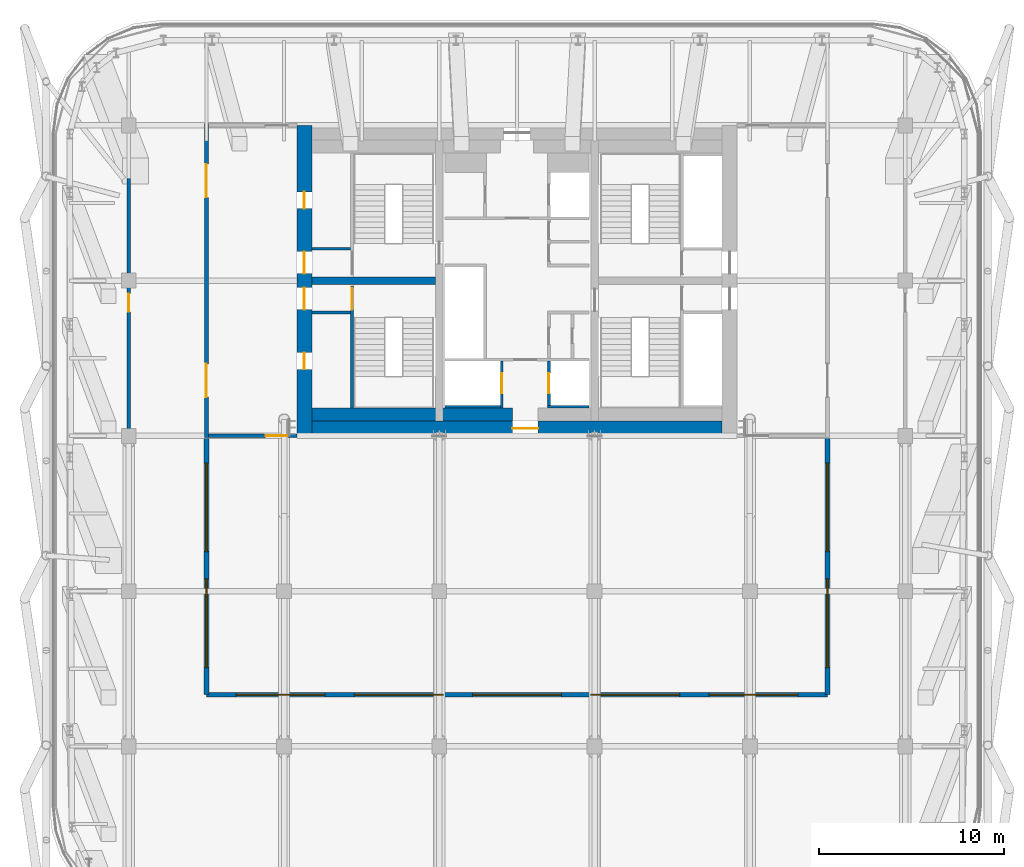
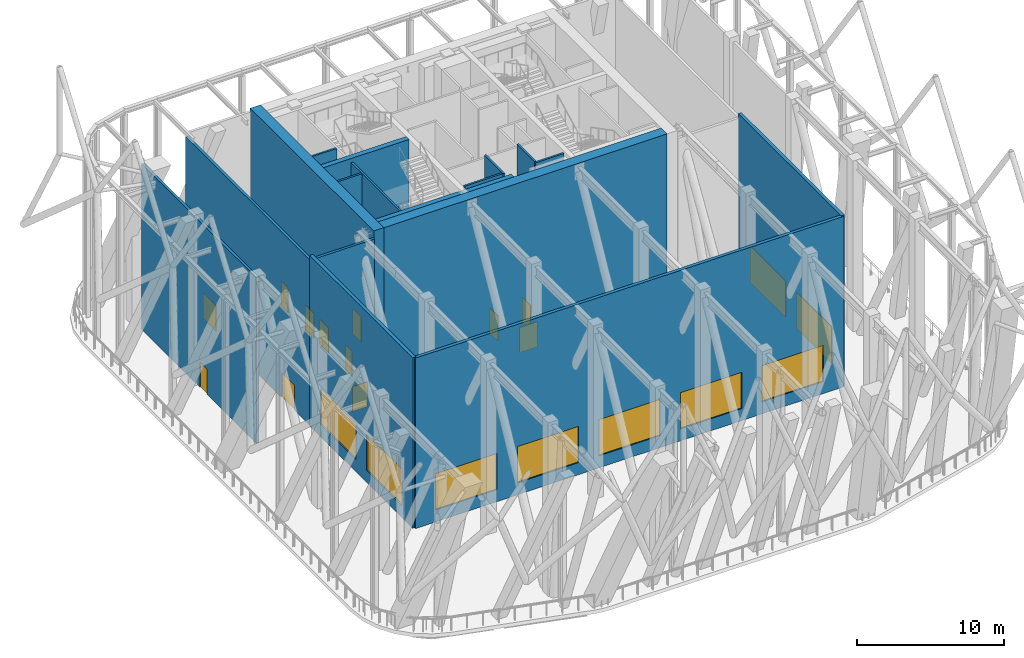
# One storey, part 10 of 20: 17 walls, 12 doors, 9 windows, 21 openings.
"""IFC4 building model written with IfcOpenShell, lengths in metres."""

from ifc_helpers import new_model, si_unit, direction, frame, frame_2d, origin, place, context, subcontext, project, spatial, rectangle, extrude, material, layer, layer_set, type_object, element, fill, save


model = new_model("IFC4")

# Units and contexts
model_context = context("Model", 3, precision=1e-05, world=origin(), true_north=direction((0.0, 1.0)))
body_context = subcontext(model_context, "Body", "Model", "MODEL_VIEW")
ifc_project = project(units=[si_unit("LENGTHUNIT", "METRE"), si_unit("AREAUNIT", "SQUARE_METRE"), si_unit("VOLUMEUNIT", "CUBIC_METRE"), si_unit("PLANEANGLEUNIT", "RADIAN"), si_unit("MASSUNIT", "GRAM", prefix="KILO")], contexts=[model_context])

# Site, building, storey
site_placement = place(None, origin())
site = spatial("IfcSite", under=ifc_project, at=site_placement, CompositionType="ELEMENT")
building_placement = place(site_placement, origin())
building = spatial("IfcBuilding", under=site, at=building_placement, Name="Marenta Gate Hotel Tower", CompositionType="ELEMENT")
storey_placement = place(building_placement, frame((0.0, 0.0, 252.5)))
storey = spatial("IfcBuildingStorey", under=building, at=storey_placement, Name="L60", CompositionType="ELEMENT", Elevation=252.5)

# Wall, openings, doors
ifc_material_1 = material(Name="Concrete blockwork", Category="masonry")
ifc_layer_1 = layer(ifc_material_1, 0.199951171875)
ifc_layer_set_1 = layer_set([ifc_layer_1], Name="Concrete blockwork")
wall_type_1 = type_object("IfcWallType", Name="Core boundary wall 200 REI 180", PredefinedType="PARTITIONING", material=ifc_layer_set_1)
wall_1_placement = place(storey_placement, frame((-16.800048828125, -0.10009765625, 0.0), z_axis=(0.0, 0.0, 1.0), x_axis=(0.0, 1.0, 0.0)))
wall_1 = element("IfcWall", 1, at=wall_1_placement, inside=storey, type_object=wall_type_1, Name="L60-CP-BW-W", PredefinedType="PARTITIONING", context=body_context, shape_type="SweptSolid", body=[
    extrude(rectangle(XDim=17.0, YDim=0.199951171875, at=frame_2d((8.5, 0.0))), origin(), (0.0, 0.0, 1.0), 13.739990234375),
])
opening_1_placement = place(wall_1_placement, frame((2.199951171875, 0.0, 0.0)))
opening_1 = element("IfcOpeningElement", 2, at=opening_1_placement, cuts=wall_1, Name="Opening ED-Wa-B", PredefinedType="OPENING", context=body_context, shape_type="SweptSolid", body=[
    extrude(rectangle(XDim=1.800048828125, YDim=2.10009765625, at=frame_2d((0.89990234375, 1.050048828125))), frame((0.0, 0.10009765625, 0.0), z_axis=(0.0, -1.0, 0.0), x_axis=(1.0, 0.0, 0.0)), (0.0, 0.0, 1.0), 0.199951171875),
])
opening_2_placement = place(wall_1_placement, frame((13.0, 0.0, 0.0)))
opening_2 = element("IfcOpeningElement", 3, at=opening_2_placement, cuts=wall_1, Name="Opening ED-Wb-B", PredefinedType="OPENING", context=body_context, shape_type="SweptSolid", body=[
    extrude(rectangle(XDim=1.800048828125, YDim=2.10009765625, at=frame_2d((0.89990234375, 1.050048828125))), frame((0.0, 0.10009765625, 0.0), z_axis=(0.0, -1.0, 0.0), x_axis=(1.0, 0.0, 0.0)), (0.0, 0.0, 1.0), 0.199951171875),
])
ifc_material_2 = material(Name="Steel", Category="steel")
door_type_1 = type_object("IfcDoorType", Name="Core lobby entrance door 1800x2100 EI 60", OperationType="DOUBLE_DOOR_SINGLE_SWING", PredefinedType="DOOR", material=ifc_material_2)
door_1_placement = place(opening_1_placement, origin())
door_1 = element("IfcDoor", 4, at=door_1_placement, inside=storey, type_object=door_type_1, Name="ED-Wa-B", OperationType="DOUBLE_DOOR_SINGLE_SWING", OverallHeight=2.10009765625, OverallWidth=1.800048828125, PredefinedType="DOOR", context=body_context, shape_type="SweptSolid", body=[
    extrude(rectangle(XDim=1.800048828125, YDim=2.10009765625, at=frame_2d((0.89990234375, 1.050048828125))), frame((0.0, 0.02490234375, 0.0), z_axis=(0.0, -1.0, 0.0), x_axis=(1.0, 0.0, 0.0)), (0.0, 0.0, 1.0), 0.050048828125),
])
fill(opening_1, door_1)
door_2_placement = place(opening_2_placement, origin())
door_2 = element("IfcDoor", 5, at=door_2_placement, inside=storey, type_object=door_type_1, Name="ED-Wb-B", OperationType="DOUBLE_DOOR_SINGLE_SWING", OverallHeight=2.10009765625, OverallWidth=1.800048828125, PredefinedType="DOOR", context=body_context, shape_type="SweptSolid", body=[
    extrude(rectangle(XDim=1.800048828125, YDim=2.10009765625, at=frame_2d((0.89990234375, 1.050048828125))), frame((0.0, 0.02490234375, 0.0), z_axis=(0.0, -1.0, 0.0), x_axis=(1.0, 0.0, 0.0)), (0.0, 0.0, 1.0), 0.050048828125),
])
fill(opening_2, door_2)

# Wall, opening, door
wall_2_placement = place(storey_placement, frame((-16.699951171875, 0.0, 0.0), z_axis=(0.0, 0.0, 1.0), x_axis=(1.0, 0.0, 0.0)))
wall_2 = element("IfcWall", 6, at=wall_2_placement, inside=storey, type_object=wall_type_1, Name="L60-CP-EW-WS", PredefinedType="PARTITIONING", context=body_context, shape_type="SweptSolid", body=[
    extrude(rectangle(XDim=4.800048828125, YDim=0.199951171875, at=frame_2d((2.39990234375, 0.0))), origin(), (0.0, 0.0, 1.0), 13.800048828125),
])
opening_3_placement = place(wall_2_placement, frame((3.10009765625, 0.0, 0.0)))
opening_3 = element("IfcOpeningElement", 7, at=opening_3_placement, cuts=wall_2, Name="Opening RFD-WS", PredefinedType="OPENING", context=body_context, shape_type="SweptSolid", body=[
    extrude(rectangle(XDim=1.199951171875, YDim=2.10009765625, at=frame_2d((0.60009765625, 1.050048828125))), frame((0.0, 0.10009765625, 0.0), z_axis=(0.0, -1.0, 0.0), x_axis=(1.0, 0.0, 0.0)), (0.0, 0.0, 1.0), 0.199951171875),
])
ifc_material_3 = material(Name="Steel", Category="steel")
door_type_2 = type_object("IfcDoorType", Name="Core lobby door 1200x2100 FD60", OperationType="SINGLE_SWING_LEFT", PredefinedType="DOOR", material=ifc_material_3)
door_3_placement = place(opening_3_placement, origin())
door_3 = element("IfcDoor", 8, at=door_3_placement, inside=storey, type_object=door_type_2, Name="RFD-WS", OperationType="SINGLE_SWING_LEFT", OverallHeight=2.10009765625, OverallWidth=1.199951171875, PredefinedType="DOOR", context=body_context, shape_type="SweptSolid", body=[
    extrude(rectangle(XDim=1.199951171875, YDim=2.10009765625, at=frame_2d((0.60009765625, 1.050048828125))), frame((0.0, 0.02490234375, 0.0), z_axis=(0.0, -1.0, 0.0), x_axis=(1.0, 0.0, 0.0)), (0.0, 0.0, 1.0), 0.050048828125),
])
fill(opening_3, door_3)

# Walls
ifc_material_4 = material(Name="Concrete C40", Category="concrete")
ifc_layer_2 = layer(ifc_material_4, 0.699951171875)
ifc_layer_set_2 = layer_set([ifc_layer_2], Name="Concrete C40")
wall_type_2 = type_object("IfcWallType", Name="Core lining wall 700 REI 180", PredefinedType="PARTITIONING", material=ifc_layer_set_2)
wall_3_placement = place(storey_placement, frame((-11.10009765625, 1.14990234375, 0.0), z_axis=(0.0, 0.0, 1.0), x_axis=(1.0, 0.0, 0.0)))
element("IfcWall", 9, at=wall_3_placement, inside=storey, type_object=wall_type_2, Name="L60-CP-LN-S1", PredefinedType="PARTITIONING", context=body_context, shape_type="SweptSolid", body=[
    extrude(rectangle(XDim=10.85009765625, YDim=0.699951171875, at=frame_2d((5.425048828125, 0.0))), origin(), (0.0, 0.0, 1.0), 14.139892578125),
])
ifc_material_5 = material(Name="Concrete blockwork", Category="masonry")
ifc_layer_3 = layer(ifc_material_5, 0.14990234375)
ifc_layer_set_3 = layer_set([ifc_layer_3], Name="Concrete blockwork")
wall_type_3 = type_object("IfcWallType", Name="Core room partition 150 REI 180", PredefinedType="PARTITIONING", material=ifc_layer_set_3)
for number, where, z_axis, x_axis, name in (
    (10, (-11.10009765625, 6.675048828125, 0.0), (0.0, 0.0, 1.0), (1.0, 0.0, 0.0), "L60-CP-SW-WS-2"),
    (11, (-11.10009765625, 10.125, 0.0), (0.0, 0.0, 1.0), (1.0, 0.0, 0.0), "L60-CP-SW-WN-2"),
):
    element("IfcWall", number, at=place(storey_placement, frame(where, z_axis=z_axis, x_axis=x_axis)), inside=storey, type_object=wall_type_3, Name=name, PredefinedType="PARTITIONING", context=body_context, shape_type="SweptSolid", body=[
        extrude(rectangle(XDim=2.10009765625, YDim=0.14990234375, at=frame_2d((1.050048828125, 0.0))), origin(), (0.0, 0.0, 1.0), 14.139892578125),
    ])

# Wall, opening, door
ifc_material_6 = material(Name="Concrete C40", Category="concrete")
ifc_layer_4 = layer(ifc_material_6, 0.14990234375)
ifc_layer_set_4 = layer_set([ifc_layer_4], Name="Concrete C40")
wall_type_4 = type_object("IfcWallType", Name="Core shaft wall 150 REI 180", PredefinedType="SHEAR", material=ifc_layer_set_4)
wall_4_placement = place(storey_placement, frame((-0.824951171875, 1.5, 0.0), z_axis=(0.0, 0.0, 1.0), x_axis=(0.0, 1.0, 0.0)))
wall_4 = element("IfcWall", 12, at=wall_4_placement, inside=storey, type_object=wall_type_4, Name="L60-SHF-CW-W-ff", PredefinedType="SHEAR", context=body_context, shape_type="SweptSolid", body=[
    extrude(rectangle(XDim=2.550048828125, YDim=0.14990234375, at=frame_2d((1.27490234375, 0.0))), origin(), (0.0, 0.0, 1.0), 14.39990234375),
])
opening_4_placement = place(wall_4_placement, frame((0.800048828125, 0.0, 0.0)))
opening_4 = element("IfcOpeningElement", 13, at=opening_4_placement, cuts=wall_4, Name="Opening LD-FF1", PredefinedType="OPENING", context=body_context, shape_type="SweptSolid", body=[
    extrude(rectangle(XDim=1.10009765625, YDim=2.10009765625, at=frame_2d((0.550048828125, 1.050048828125))), frame((0.0, 0.074951171875, 0.0), z_axis=(0.0, -1.0, 0.0), x_axis=(1.0, 0.0, 0.0)), (0.0, 0.0, 1.0), 0.14990234375),
])
ifc_material_7 = material(Name="Steel", Category="steel")
door_type_3 = type_object("IfcDoorType", Name="Core lift landing door 1100x2100 E 60", OperationType="SLIDING_TO_LEFT", PredefinedType="DOOR", material=ifc_material_7)
door_4_placement = place(opening_4_placement, origin())
door_4 = element("IfcDoor", 14, at=door_4_placement, inside=storey, type_object=door_type_3, Name="LD-FF1", OperationType="SLIDING_TO_LEFT", OverallHeight=2.10009765625, OverallWidth=1.10009765625, PredefinedType="DOOR", context=body_context, shape_type="SweptSolid", body=[
    extrude(rectangle(XDim=1.10009765625, YDim=2.10009765625, at=frame_2d((0.550048828125, 1.050048828125))), frame((0.0, 0.02490234375, 0.0), z_axis=(0.0, -1.0, 0.0), x_axis=(1.0, 0.0, 0.0)), (0.0, 0.0, 1.0), 0.050048828125),
])
fill(opening_4, door_4)

# Wall
wall_5_placement = place(storey_placement, frame((-3.89990234375, 1.574951171875, 0.0), z_axis=(0.0, 0.0, 1.0), x_axis=(1.0, 0.0, 0.0)))
element("IfcWall", 15, at=wall_5_placement, inside=storey, type_object=wall_type_4, Name="L60-SHF-CW-W-ffs", PredefinedType="SHEAR", context=body_context, shape_type="SweptSolid", body=[
    extrude(rectangle(XDim=3.0, YDim=0.14990234375, at=frame_2d((1.5, 0.0))), origin(), (0.0, 0.0, 1.0), 14.39990234375),
])

# Wall, opening, door
wall_6_placement = place(storey_placement, frame((1.72509765625, 1.64990234375, 0.0), z_axis=(0.0, 0.0, 1.0), x_axis=(0.0, 1.0, 0.0)))
wall_6 = element("IfcWall", 16, at=wall_6_placement, inside=storey, type_object=wall_type_4, Name="L60-SHF-CE-S-ls", PredefinedType="SHEAR", context=body_context, shape_type="SweptSolid", body=[
    extrude(rectangle(XDim=2.400146484375, YDim=0.14990234375, at=frame_2d((1.2001953125, 0.0))), origin(), (0.0, 0.0, 1.0), 14.39990234375),
])
opening_5_placement = place(wall_6_placement, frame((0.64990234375, 0.0, 0.0)))
opening_5 = element("IfcOpeningElement", 17, at=opening_5_placement, cuts=wall_6, Name="Opening LD-SV1", PredefinedType="OPENING", context=body_context, shape_type="SweptSolid", body=[
    extrude(rectangle(XDim=1.10009765625, YDim=2.10009765625, at=frame_2d((0.550048828125, 1.050048828125))), frame((0.0, 0.074951171875, 0.0), z_axis=(0.0, -1.0, 0.0), x_axis=(1.0, 0.0, 0.0)), (0.0, 0.0, 1.0), 0.14990234375),
])
door_5_placement = place(opening_5_placement, origin())
door_5 = element("IfcDoor", 18, at=door_5_placement, inside=storey, type_object=door_type_3, Name="LD-SV1", OperationType="SLIDING_TO_LEFT", OverallHeight=2.10009765625, OverallWidth=1.10009765625, PredefinedType="DOOR", context=body_context, shape_type="SweptSolid", body=[
    extrude(rectangle(XDim=1.10009765625, YDim=2.10009765625, at=frame_2d((0.550048828125, 1.050048828125))), frame((0.0, 0.02490234375, 0.0), z_axis=(0.0, -1.0, 0.0), x_axis=(1.0, 0.0, 0.0)), (0.0, 0.0, 1.0), 0.050048828125),
])
fill(opening_5, door_5)

# Wall
wall_7_placement = place(storey_placement, frame((1.64990234375, 1.574951171875, 0.0), z_axis=(0.0, 0.0, 1.0), x_axis=(1.0, 0.0, 0.0)))
element("IfcWall", 19, at=wall_7_placement, inside=storey, type_object=wall_type_4, Name="L60-SHF-CE-S-bot", PredefinedType="SHEAR", context=body_context, shape_type="SweptSolid", body=[
    extrude(rectangle(XDim=2.25, YDim=0.14990234375, at=frame_2d((1.125, 0.0))), origin(), (0.0, 0.0, 1.0), 14.39990234375),
])

# Wall, opening, door
ifc_material_8 = material(Name="Concrete C40", Category="concrete")
ifc_layer_5 = layer(ifc_material_8, 0.14990234375)
ifc_layer_set_5 = layer_set([ifc_layer_5], Name="Concrete C40")
wall_type_5 = type_object("IfcWallType", Name="Core stair enclosure wall 150 REI 180", PredefinedType="SHEAR", material=ifc_layer_set_5)
wall_8_placement = place(storey_placement, frame((-8.925048828125, 1.5, 0.0), z_axis=(0.0, 0.0, 1.0), x_axis=(0.0, 1.0, 0.0)))
wall_8 = element("IfcWall", 20, at=wall_8_placement, inside=storey, type_object=wall_type_5, Name="L60-SHF-SW-WS-3", PredefinedType="SHEAR", context=body_context, shape_type="SweptSolid", body=[
    extrude(rectangle(XDim=6.60009765625, YDim=0.14990234375, at=frame_2d((3.300048828125, 0.0))), origin(), (0.0, 0.0, 1.0), 14.139892578125),
])
opening_6_placement = place(wall_8_placement, frame((5.324951171875, 0.0, 0.0)))
opening_6 = element("IfcOpeningElement", 21, at=opening_6_placement, cuts=wall_8, Name="Opening SD-WS", PredefinedType="OPENING", context=body_context, shape_type="SweptSolid", body=[
    extrude(rectangle(XDim=1.199951171875, YDim=2.10009765625, at=frame_2d((0.60009765625, 1.050048828125))), frame((0.0, 0.074951171875, 0.0), z_axis=(0.0, -1.0, 0.0), x_axis=(1.0, 0.0, 0.0)), (0.0, 0.0, 1.0), 0.14990234375),
])
ifc_material_9 = material(Name="Steel", Category="steel")
door_type_4 = type_object("IfcDoorType", Name="Core stair door 1200x2100 FD60", OperationType="SINGLE_SWING_LEFT", PredefinedType="DOOR", material=ifc_material_9)
door_6_placement = place(opening_6_placement, origin())
door_6 = element("IfcDoor", 22, at=door_6_placement, inside=storey, type_object=door_type_4, Name="SD-WS", OperationType="SINGLE_SWING_LEFT", OverallHeight=2.10009765625, OverallWidth=1.199951171875, PredefinedType="DOOR", context=body_context, shape_type="SweptSolid", body=[
    extrude(rectangle(XDim=1.199951171875, YDim=2.10009765625, at=frame_2d((0.60009765625, 1.050048828125))), frame((0.0, 0.02490234375, 0.0), z_axis=(0.0, -1.0, 0.0), x_axis=(1.0, 0.0, 0.0)), (0.0, 0.0, 1.0), 0.050048828125),
])
fill(opening_6, door_6)

# Wall, openings, doors
ifc_material_10 = material(Name="Concrete C60", Category="concrete")
ifc_layer_6 = layer(ifc_material_10, 0.800048828125)
ifc_layer_set_6 = layer_set([ifc_layer_6], Name="Concrete C60")
wall_type_6 = type_object("IfcWallType", Name="Core wall 800 C60", PredefinedType="SHEAR", material=ifc_layer_set_6)
wall_9_placement = place(storey_placement, frame((-11.5, 0.0, 0.0), z_axis=(0.0, 0.0, 1.0), x_axis=(0.0, 1.0, 0.0)))
wall_9 = element("IfcWall", 23, at=wall_9_placement, inside=storey, type_object=wall_type_6, Name="L60-CORE-W", PredefinedType="SHEAR", context=body_context, shape_type="SweptSolid", body=[
    extrude(rectangle(XDim=16.800048828125, YDim=0.800048828125, at=frame_2d((8.39990234375, 0.0))), origin(), (0.0, 0.0, 1.0), 14.39990234375),
])
opening_7_placement = place(wall_9_placement, frame((3.60009765625, 0.0, 0.0)))
opening_7 = element("IfcOpeningElement", 24, at=opening_7_placement, cuts=wall_9, Name="Opening RD-WS-1", PredefinedType="OPENING", context=body_context, shape_type="SweptSolid", body=[
    extrude(rectangle(XDim=0.89990234375, YDim=2.10009765625, at=frame_2d((0.449951171875, 1.050048828125))), frame((0.0, 0.39990234375, 0.0), z_axis=(0.0, -1.0, 0.0), x_axis=(1.0, 0.0, 0.0)), (0.0, 0.0, 1.0), 0.800048828125),
])
opening_8_placement = place(wall_9_placement, frame((6.824951171875, 0.0, 0.0)))
opening_8 = element("IfcOpeningElement", 25, at=opening_8_placement, cuts=wall_9, Name="Opening PD-WS", PredefinedType="OPENING", context=body_context, shape_type="SweptSolid", body=[
    extrude(rectangle(XDim=1.199951171875, YDim=2.10009765625, at=frame_2d((0.60009765625, 1.050048828125))), frame((0.0, 0.39990234375, 0.0), z_axis=(0.0, -1.0, 0.0), x_axis=(1.0, 0.0, 0.0)), (0.0, 0.0, 1.0), 0.800048828125),
])
opening_9_placement = place(wall_9_placement, frame((12.300048828125, 0.0, 0.0)))
opening_9 = element("IfcOpeningElement", 26, at=opening_9_placement, cuts=wall_9, Name="Opening RD-WN-1", PredefinedType="OPENING", context=body_context, shape_type="SweptSolid", body=[
    extrude(rectangle(XDim=0.89990234375, YDim=2.10009765625, at=frame_2d((0.449951171875, 1.050048828125))), frame((0.0, 0.39990234375, 0.0), z_axis=(0.0, -1.0, 0.0), x_axis=(1.0, 0.0, 0.0)), (0.0, 0.0, 1.0), 0.800048828125),
])
opening_10_placement = place(wall_9_placement, frame((8.77490234375, 0.0, 0.0)))
opening_10 = element("IfcOpeningElement", 27, at=opening_10_placement, cuts=wall_9, Name="Opening PD-WN", PredefinedType="OPENING", context=body_context, shape_type="SweptSolid", body=[
    extrude(rectangle(XDim=1.199951171875, YDim=2.10009765625, at=frame_2d((0.60009765625, 1.050048828125))), frame((0.0, 0.39990234375, 0.0), z_axis=(0.0, -1.0, 0.0), x_axis=(1.0, 0.0, 0.0)), (0.0, 0.0, 1.0), 0.800048828125),
])
door_7_placement = place(opening_8_placement, origin())
door_7 = element("IfcDoor", 28, at=door_7_placement, inside=storey, type_object=door_type_2, Name="PD-WS", OperationType="SINGLE_SWING_LEFT", OverallHeight=2.10009765625, OverallWidth=1.199951171875, PredefinedType="DOOR", context=body_context, shape_type="SweptSolid", body=[
    extrude(rectangle(XDim=1.199951171875, YDim=2.10009765625, at=frame_2d((0.60009765625, 1.050048828125))), frame((0.0, 0.02490234375, 0.0), z_axis=(0.0, -1.0, 0.0), x_axis=(1.0, 0.0, 0.0)), (0.0, 0.0, 1.0), 0.050048828125),
])
fill(opening_8, door_7)
door_8_placement = place(opening_10_placement, origin())
door_8 = element("IfcDoor", 29, at=door_8_placement, inside=storey, type_object=door_type_2, Name="PD-WN", OperationType="SINGLE_SWING_LEFT", OverallHeight=2.10009765625, OverallWidth=1.199951171875, PredefinedType="DOOR", context=body_context, shape_type="SweptSolid", body=[
    extrude(rectangle(XDim=1.199951171875, YDim=2.10009765625, at=frame_2d((0.60009765625, 1.050048828125))), frame((0.0, 0.02490234375, 0.0), z_axis=(0.0, -1.0, 0.0), x_axis=(1.0, 0.0, 0.0)), (0.0, 0.0, 1.0), 0.050048828125),
])
fill(opening_10, door_8)
ifc_material_11 = material(Name="Steel", Category="steel")
door_type_5 = type_object("IfcDoorType", Name="Core service room door 900x2100 FD30S", OperationType="SINGLE_SWING_LEFT", PredefinedType="DOOR", material=ifc_material_11)
door_9_placement = place(opening_7_placement, origin())
door_9 = element("IfcDoor", 30, at=door_9_placement, inside=storey, type_object=door_type_5, Name="RD-WS-1", OperationType="SINGLE_SWING_LEFT", OverallHeight=2.10009765625, OverallWidth=0.89990234375, PredefinedType="DOOR", context=body_context, shape_type="SweptSolid", body=[
    extrude(rectangle(XDim=0.89990234375, YDim=2.10009765625, at=frame_2d((0.449951171875, 1.050048828125))), frame((0.0, 0.02490234375, 0.0), z_axis=(0.0, -1.0, 0.0), x_axis=(1.0, 0.0, 0.0)), (0.0, 0.0, 1.0), 0.050048828125),
])
fill(opening_7, door_9)
door_10_placement = place(opening_9_placement, origin())
door_10 = element("IfcDoor", 31, at=door_10_placement, inside=storey, type_object=door_type_5, Name="RD-WN-1", OperationType="SINGLE_SWING_LEFT", OverallHeight=2.10009765625, OverallWidth=0.89990234375, PredefinedType="DOOR", context=body_context, shape_type="SweptSolid", body=[
    extrude(rectangle(XDim=0.89990234375, YDim=2.10009765625, at=frame_2d((0.449951171875, 1.050048828125))), frame((0.0, 0.02490234375, 0.0), z_axis=(0.0, -1.0, 0.0), x_axis=(1.0, 0.0, 0.0)), (0.0, 0.0, 1.0), 0.050048828125),
])
fill(opening_9, door_10)

# Wall, opening, door
wall_10_placement = place(storey_placement, frame((-11.10009765625, 0.39990234375, 0.0), z_axis=(0.0, 0.0, 1.0), x_axis=(1.0, 0.0, 0.0)))
wall_10 = element("IfcWall", 32, at=wall_10_placement, inside=storey, type_object=wall_type_6, Name="L60-CORE-S", PredefinedType="SHEAR", context=body_context, shape_type="SweptSolid", body=[
    extrude(rectangle(XDim=22.2001953125, YDim=0.800048828125, at=frame_2d((11.10009765625, 0.0))), origin(), (0.0, 0.0, 1.0), 14.39990234375),
])
opening_11_placement = place(wall_10_placement, frame((10.85009765625, 0.0, 0.0)))
opening_11 = element("IfcOpeningElement", 33, at=opening_11_placement, cuts=wall_10, Name="Opening RFD-S", PredefinedType="OPENING", context=body_context, shape_type="SweptSolid", body=[
    extrude(rectangle(XDim=1.39990234375, YDim=2.10009765625, at=frame_2d((0.699951171875, 1.050048828125))), frame((0.0, 0.39990234375, 0.0), z_axis=(0.0, -1.0, 0.0), x_axis=(1.0, 0.0, 0.0)), (0.0, 0.0, 1.0), 0.800048828125),
])
ifc_material_12 = material(Name="Steel", Category="steel")
door_type_6 = type_object("IfcDoorType", Name="Core lobby door 1400x2100 FD60", OperationType="SINGLE_SWING_LEFT", PredefinedType="DOOR", material=ifc_material_12)
door_11_placement = place(opening_11_placement, origin())
door_11 = element("IfcDoor", 34, at=door_11_placement, inside=storey, type_object=door_type_6, Name="RFD-S", OperationType="SINGLE_SWING_LEFT", OverallHeight=2.10009765625, OverallWidth=1.39990234375, PredefinedType="DOOR", context=body_context, shape_type="SweptSolid", body=[
    extrude(rectangle(XDim=1.39990234375, YDim=2.10009765625, at=frame_2d((0.699951171875, 1.050048828125))), frame((0.0, 0.02490234375, 0.0), z_axis=(0.0, -1.0, 0.0), x_axis=(1.0, 0.0, 0.0)), (0.0, 0.0, 1.0), 0.050048828125),
])
fill(opening_11, door_11)

# Wall
ifc_material_13 = material(Name="Concrete C60", Category="concrete")
ifc_layer_7 = layer(ifc_material_13, 0.39990234375)
ifc_layer_set_7 = layer_set([ifc_layer_7], Name="Concrete C60")
wall_type_7 = type_object("IfcWallType", Name="Core web 400 C60", PredefinedType="SHEAR", material=ifc_layer_set_7)
wall_11_placement = place(storey_placement, frame((-11.10009765625, 8.39990234375, 0.0), z_axis=(0.0, 0.0, 1.0), x_axis=(1.0, 0.0, 0.0)))
element("IfcWall", 35, at=wall_11_placement, inside=storey, type_object=wall_type_7, Name="L60-CORE-W3", PredefinedType="SHEAR", context=body_context, shape_type="SweptSolid", body=[
    extrude(rectangle(XDim=6.7001953125, YDim=0.39990234375, at=frame_2d((3.35009765625, 0.0))), origin(), (0.0, 0.0, 1.0), 14.39990234375),
])

# Wall, openings, windows
ifc_material_14 = material(Name="Concrete C40", Category="concrete")
ifc_layer_8 = layer(ifc_material_14, 0.25)
ifc_layer_set_8 = layer_set([ifc_layer_8], Name="Concrete C40")
wall_type_8 = type_object("IfcWallType", Name="Refuge external wall 250 mm", PredefinedType="SOLIDWALL", material=ifc_layer_set_8)
wall_12_placement = place(storey_placement, frame((-16.800048828125, -14.0, 0.0), z_axis=(0.0, 0.0, 1.0), x_axis=(0.0, 1.0, 0.0)))
wall_12 = element("IfcWall", 36, at=wall_12_placement, inside=storey, type_object=wall_type_8, Name="L60-PTN-RF01", PredefinedType="SOLIDWALL", context=body_context, shape_type="SweptSolid", body=[
    extrude(rectangle(XDim=14.0, YDim=0.25, at=frame_2d((7.0, 0.0))), origin(), (0.0, 0.0, 1.0), 14.139892578125),
])
opening_12_placement = place(wall_12_placement, frame((1.467041015625, 0.0, 1.0)))
opening_12 = element("IfcOpeningElement", 37, at=opening_12_placement, cuts=wall_12, Name="Opening RV", PredefinedType="OPENING", context=body_context, shape_type="SweptSolid", body=[
    extrude(rectangle(XDim=4.800048828125, YDim=3.0, at=frame_2d((2.39990234375, 1.5))), frame((0.0, 0.125, 0.0), z_axis=(0.0, -1.0, 0.0), x_axis=(1.0, 0.0, 0.0)), (0.0, 0.0, 1.0), 0.25),
])
opening_13_placement = place(wall_12_placement, frame((7.73291015625, 0.0, 1.0)))
opening_13 = element("IfcOpeningElement", 38, at=opening_13_placement, cuts=wall_12, Name="Opening RV", PredefinedType="OPENING", context=body_context, shape_type="SweptSolid", body=[
    extrude(rectangle(XDim=4.800048828125, YDim=3.0, at=frame_2d((2.39990234375, 1.5))), frame((0.0, 0.125, 0.0), z_axis=(0.0, -1.0, 0.0), x_axis=(1.0, 0.0, 0.0)), (0.0, 0.0, 1.0), 0.25),
])
ifc_material_15 = material(Name="Bronze anodised aluminium louvre", Category="aluminium")
window_type = type_object("IfcWindowType", Name="Refuge ventilation louvre 4800x3000", PartitioningType="SINGLE_PANEL", PredefinedType="WINDOW", material=ifc_material_15)
window_1_placement = place(opening_12_placement, origin())
window_1 = element("IfcWindow", 39, at=window_1_placement, inside=storey, type_object=window_type, Name="L60-WN-RF01a", OverallHeight=3.0, OverallWidth=4.800048828125, PartitioningType="SINGLE_PANEL", PredefinedType="WINDOW", context=body_context, shape_type="SweptSolid", body=[
    extrude(rectangle(XDim=4.800048828125, YDim=3.0, at=frame_2d((2.39990234375, 1.5))), frame((0.0, 0.030029296875, 0.0), z_axis=(0.0, -1.0, 0.0), x_axis=(1.0, 0.0, 0.0)), (0.0, 0.0, 1.0), 0.06005859375),
])
fill(opening_12, window_1)
window_2_placement = place(opening_13_placement, origin())
window_2 = element("IfcWindow", 40, at=window_2_placement, inside=storey, type_object=window_type, Name="L60-WN-RF01b", OverallHeight=3.0, OverallWidth=4.800048828125, PartitioningType="SINGLE_PANEL", PredefinedType="WINDOW", context=body_context, shape_type="SweptSolid", body=[
    extrude(rectangle(XDim=4.800048828125, YDim=3.0, at=frame_2d((2.39990234375, 1.5))), frame((0.0, 0.030029296875, 0.0), z_axis=(0.0, -1.0, 0.0), x_axis=(1.0, 0.0, 0.0)), (0.0, 0.0, 1.0), 0.06005859375),
])
fill(opening_13, window_2)

wall_13_placement = place(storey_placement, frame((16.800048828125, 0.0, 0.0), z_axis=(0.0, 0.0, 1.0), x_axis=(0.0, -1.0, 0.0)))
wall_13 = element("IfcWall", 41, at=wall_13_placement, inside=storey, type_object=wall_type_8, Name="L60-PTN-RF02", PredefinedType="SOLIDWALL", context=body_context, shape_type="SweptSolid", body=[
    extrude(rectangle(XDim=14.0, YDim=0.25, at=frame_2d((7.0, 0.0))), origin(), (0.0, 0.0, 1.0), 14.139892578125),
])
opening_14_placement = place(wall_13_placement, frame((1.467041015625, 0.0, 1.0)))
opening_14 = element("IfcOpeningElement", 42, at=opening_14_placement, cuts=wall_13, Name="Opening RV", PredefinedType="OPENING", context=body_context, shape_type="SweptSolid", body=[
    extrude(rectangle(XDim=4.800048828125, YDim=3.0, at=frame_2d((2.39990234375, 1.5))), frame((0.0, 0.125, 0.0), z_axis=(0.0, -1.0, 0.0), x_axis=(1.0, 0.0, 0.0)), (0.0, 0.0, 1.0), 0.25),
])
opening_15_placement = place(wall_13_placement, frame((7.73291015625, 0.0, 1.0)))
opening_15 = element("IfcOpeningElement", 43, at=opening_15_placement, cuts=wall_13, Name="Opening RV", PredefinedType="OPENING", context=body_context, shape_type="SweptSolid", body=[
    extrude(rectangle(XDim=4.800048828125, YDim=3.0, at=frame_2d((2.39990234375, 1.5))), frame((0.0, 0.125, 0.0), z_axis=(0.0, -1.0, 0.0), x_axis=(1.0, 0.0, 0.0)), (0.0, 0.0, 1.0), 0.25),
])
window_3_placement = place(opening_14_placement, origin())
window_3 = element("IfcWindow", 44, at=window_3_placement, inside=storey, type_object=window_type, Name="L60-WN-RF02a", OverallHeight=3.0, OverallWidth=4.800048828125, PartitioningType="SINGLE_PANEL", PredefinedType="WINDOW", context=body_context, shape_type="SweptSolid", body=[
    extrude(rectangle(XDim=4.800048828125, YDim=3.0, at=frame_2d((2.39990234375, 1.5))), frame((0.0, 0.030029296875, 0.0), z_axis=(0.0, -1.0, 0.0), x_axis=(1.0, 0.0, 0.0)), (0.0, 0.0, 1.0), 0.06005859375),
])
fill(opening_14, window_3)
window_4_placement = place(opening_15_placement, origin())
window_4 = element("IfcWindow", 45, at=window_4_placement, inside=storey, type_object=window_type, Name="L60-WN-RF02b", OverallHeight=3.0, OverallWidth=4.800048828125, PartitioningType="SINGLE_PANEL", PredefinedType="WINDOW", context=body_context, shape_type="SweptSolid", body=[
    extrude(rectangle(XDim=4.800048828125, YDim=3.0, at=frame_2d((2.39990234375, 1.5))), frame((0.0, 0.030029296875, 0.0), z_axis=(0.0, -1.0, 0.0), x_axis=(1.0, 0.0, 0.0)), (0.0, 0.0, 1.0), 0.06005859375),
])
fill(opening_15, window_4)

wall_14_placement = place(storey_placement, frame((16.800048828125, -14.0, 0.0), z_axis=(0.0, 0.0, 1.0), x_axis=(-1.0, 0.0, 0.0)))
wall_14 = element("IfcWall", 46, at=wall_14_placement, inside=storey, type_object=wall_type_8, Name="L60-PTN-RF03", PredefinedType="SOLIDWALL", context=body_context, shape_type="SweptSolid", body=[
    extrude(rectangle(XDim=33.60009765625, YDim=0.25, at=frame_2d((16.800048828125, 0.0))), origin(), (0.0, 0.0, 1.0), 14.139892578125),
])
opening_16_placement = place(wall_14_placement, frame((1.60009765625, 0.0, 1.0)))
opening_16 = element("IfcOpeningElement", 47, at=opening_16_placement, cuts=wall_14, Name="Opening RV", PredefinedType="OPENING", context=body_context, shape_type="SweptSolid", body=[
    extrude(rectangle(XDim=4.800048828125, YDim=3.0, at=frame_2d((2.39990234375, 1.5))), frame((0.0, 0.125, 0.0), z_axis=(0.0, -1.0, 0.0), x_axis=(1.0, 0.0, 0.0)), (0.0, 0.0, 1.0), 0.25),
])
opening_17_placement = place(wall_14_placement, frame((8.0, 0.0, 1.0)))
opening_17 = element("IfcOpeningElement", 48, at=opening_17_placement, cuts=wall_14, Name="Opening RV", PredefinedType="OPENING", context=body_context, shape_type="SweptSolid", body=[
    extrude(rectangle(XDim=4.800048828125, YDim=3.0, at=frame_2d((2.39990234375, 1.5))), frame((0.0, 0.125, 0.0), z_axis=(0.0, -1.0, 0.0), x_axis=(1.0, 0.0, 0.0)), (0.0, 0.0, 1.0), 0.25),
])
opening_18_placement = place(wall_14_placement, frame((14.39990234375, 0.0, 1.0)))
opening_18 = element("IfcOpeningElement", 49, at=opening_18_placement, cuts=wall_14, Name="Opening RV", PredefinedType="OPENING", context=body_context, shape_type="SweptSolid", body=[
    extrude(rectangle(XDim=4.800048828125, YDim=3.0, at=frame_2d((2.39990234375, 1.5))), frame((0.0, 0.125, 0.0), z_axis=(0.0, -1.0, 0.0), x_axis=(1.0, 0.0, 0.0)), (0.0, 0.0, 1.0), 0.25),
])
opening_19_placement = place(wall_14_placement, frame((20.800048828125, 0.0, 1.0)))
opening_19 = element("IfcOpeningElement", 50, at=opening_19_placement, cuts=wall_14, Name="Opening RV", PredefinedType="OPENING", context=body_context, shape_type="SweptSolid", body=[
    extrude(rectangle(XDim=4.800048828125, YDim=3.0, at=frame_2d((2.39990234375, 1.5))), frame((0.0, 0.125, 0.0), z_axis=(0.0, -1.0, 0.0), x_axis=(1.0, 0.0, 0.0)), (0.0, 0.0, 1.0), 0.25),
])
opening_20_placement = place(wall_14_placement, frame((27.199951171875, 0.0, 1.0)))
opening_20 = element("IfcOpeningElement", 51, at=opening_20_placement, cuts=wall_14, Name="Opening RV", PredefinedType="OPENING", context=body_context, shape_type="SweptSolid", body=[
    extrude(rectangle(XDim=4.800048828125, YDim=3.0, at=frame_2d((2.39990234375, 1.5))), frame((0.0, 0.125, 0.0), z_axis=(0.0, -1.0, 0.0), x_axis=(1.0, 0.0, 0.0)), (0.0, 0.0, 1.0), 0.25),
])
window_5_placement = place(opening_16_placement, origin())
window_5 = element("IfcWindow", 52, at=window_5_placement, inside=storey, type_object=window_type, Name="L60-WN-RF03a", OverallHeight=3.0, OverallWidth=4.800048828125, PartitioningType="SINGLE_PANEL", PredefinedType="WINDOW", context=body_context, shape_type="SweptSolid", body=[
    extrude(rectangle(XDim=4.800048828125, YDim=3.0, at=frame_2d((2.39990234375, 1.5))), frame((0.0, 0.030029296875, 0.0), z_axis=(0.0, -1.0, 0.0), x_axis=(1.0, 0.0, 0.0)), (0.0, 0.0, 1.0), 0.06005859375),
])
fill(opening_16, window_5)
window_6_placement = place(opening_17_placement, origin())
window_6 = element("IfcWindow", 53, at=window_6_placement, inside=storey, type_object=window_type, Name="L60-WN-RF03b", OverallHeight=3.0, OverallWidth=4.800048828125, PartitioningType="SINGLE_PANEL", PredefinedType="WINDOW", context=body_context, shape_type="SweptSolid", body=[
    extrude(rectangle(XDim=4.800048828125, YDim=3.0, at=frame_2d((2.39990234375, 1.5))), frame((0.0, 0.030029296875, 0.0), z_axis=(0.0, -1.0, 0.0), x_axis=(1.0, 0.0, 0.0)), (0.0, 0.0, 1.0), 0.06005859375),
])
fill(opening_17, window_6)
window_7_placement = place(opening_18_placement, origin())
window_7 = element("IfcWindow", 54, at=window_7_placement, inside=storey, type_object=window_type, Name="L60-WN-RF03c", OverallHeight=3.0, OverallWidth=4.800048828125, PartitioningType="SINGLE_PANEL", PredefinedType="WINDOW", context=body_context, shape_type="SweptSolid", body=[
    extrude(rectangle(XDim=4.800048828125, YDim=3.0, at=frame_2d((2.39990234375, 1.5))), frame((0.0, 0.030029296875, 0.0), z_axis=(0.0, -1.0, 0.0), x_axis=(1.0, 0.0, 0.0)), (0.0, 0.0, 1.0), 0.06005859375),
])
fill(opening_18, window_7)
window_8_placement = place(opening_19_placement, origin())
window_8 = element("IfcWindow", 55, at=window_8_placement, inside=storey, type_object=window_type, Name="L60-WN-RF03d", OverallHeight=3.0, OverallWidth=4.800048828125, PartitioningType="SINGLE_PANEL", PredefinedType="WINDOW", context=body_context, shape_type="SweptSolid", body=[
    extrude(rectangle(XDim=4.800048828125, YDim=3.0, at=frame_2d((2.39990234375, 1.5))), frame((0.0, 0.030029296875, 0.0), z_axis=(0.0, -1.0, 0.0), x_axis=(1.0, 0.0, 0.0)), (0.0, 0.0, 1.0), 0.06005859375),
])
fill(opening_19, window_8)
window_9_placement = place(opening_20_placement, origin())
window_9 = element("IfcWindow", 56, at=window_9_placement, inside=storey, type_object=window_type, Name="L60-WN-RF03e", OverallHeight=3.0, OverallWidth=4.800048828125, PartitioningType="SINGLE_PANEL", PredefinedType="WINDOW", context=body_context, shape_type="SweptSolid", body=[
    extrude(rectangle(XDim=4.800048828125, YDim=3.0, at=frame_2d((2.39990234375, 1.5))), frame((0.0, 0.030029296875, 0.0), z_axis=(0.0, -1.0, 0.0), x_axis=(1.0, 0.0, 0.0)), (0.0, 0.0, 1.0), 0.06005859375),
])
fill(opening_20, window_9)

# Wall, opening, door
ifc_material_16 = material(Name="Gypsum board on steel stud", Category="steel")
ifc_layer_9 = layer(ifc_material_16, 0.199951171875)
ifc_layer_set_9 = layer_set([ifc_layer_9], Name="Gypsum board on steel stud")
wall_type_9 = type_object("IfcWallType", Name="Room corridor wall 200 EI 60", PredefinedType="PARTITIONING", material=ifc_layer_set_9)
wall_15_placement = place(storey_placement, frame((-21.0, 0.0, 0.0), z_axis=(0.0, 0.0, 1.0), x_axis=(0.0, 1.0, 0.0)))
wall_15 = element("IfcWall", 57, at=wall_15_placement, inside=storey, type_object=wall_type_9, Name="L60-PTN-W002", PredefinedType="PARTITIONING", context=body_context, shape_type="SweptSolid", body=[
    extrude(rectangle(XDim=15.60595703125, YDim=0.199951171875, at=frame_2d((7.802978515625, 0.0))), origin(), (0.0, 0.0, 1.0), 13.739990234375),
])
opening_21_placement = place(wall_15_placement, frame((6.702880859375, 0.0, 0.0)))
opening_21 = element("IfcOpeningElement", 58, at=opening_21_placement, cuts=wall_15, Name="Opening S11-01", PredefinedType="OPENING", context=body_context, shape_type="SweptSolid", body=[
    extrude(rectangle(XDim=1.0, YDim=2.10009765625, at=frame_2d((0.5, 1.050048828125))), frame((0.0, 0.10009765625, 0.0), z_axis=(0.0, -1.0, 0.0), x_axis=(1.0, 0.0, 0.0)), (0.0, 0.0, 1.0), 0.199951171875),
])
ifc_material_17 = material(Name="Hollow steel door set", Category="steel")
door_type_7 = type_object("IfcDoorType", Name="Plant room door 1000x2100 EI 30", OperationType="NOTDEFINED", PredefinedType="DOOR", material=ifc_material_17)
door_12_placement = place(opening_21_placement, origin())
door_12 = element("IfcDoor", 59, at=door_12_placement, inside=storey, type_object=door_type_7, Name="L60-PD-D001", OperationType="SINGLE_SWING_LEFT", OverallHeight=2.10009765625, OverallWidth=1.0, PredefinedType="DOOR", context=body_context, shape_type="SweptSolid", body=[
    extrude(rectangle(XDim=1.0, YDim=2.10009765625, at=frame_2d((0.5, 1.050048828125))), frame((0.0, 0.02490234375, 0.0), z_axis=(0.0, -1.0, 0.0), x_axis=(1.0, 0.0, 0.0)), (0.0, 0.0, 1.0), 0.050048828125),
])
fill(opening_21, door_12)

save(model, "model.ifc")
